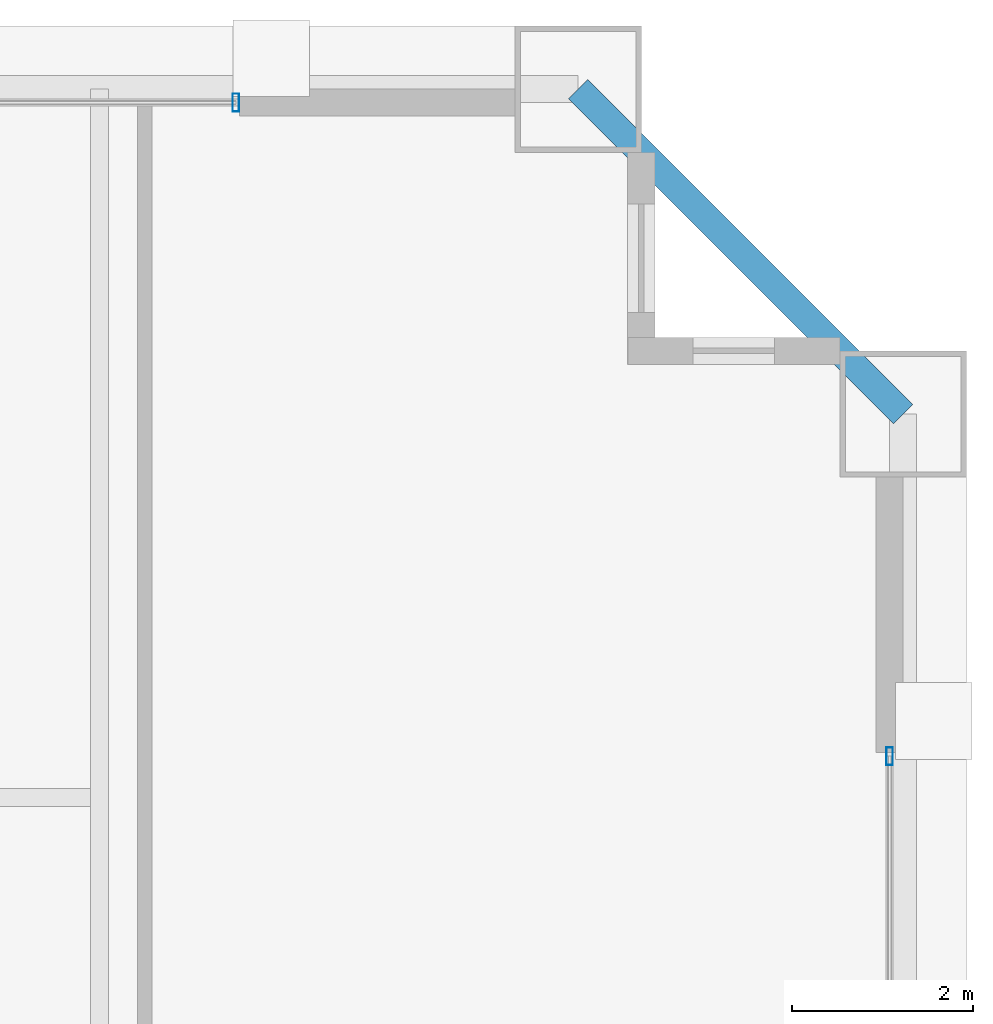
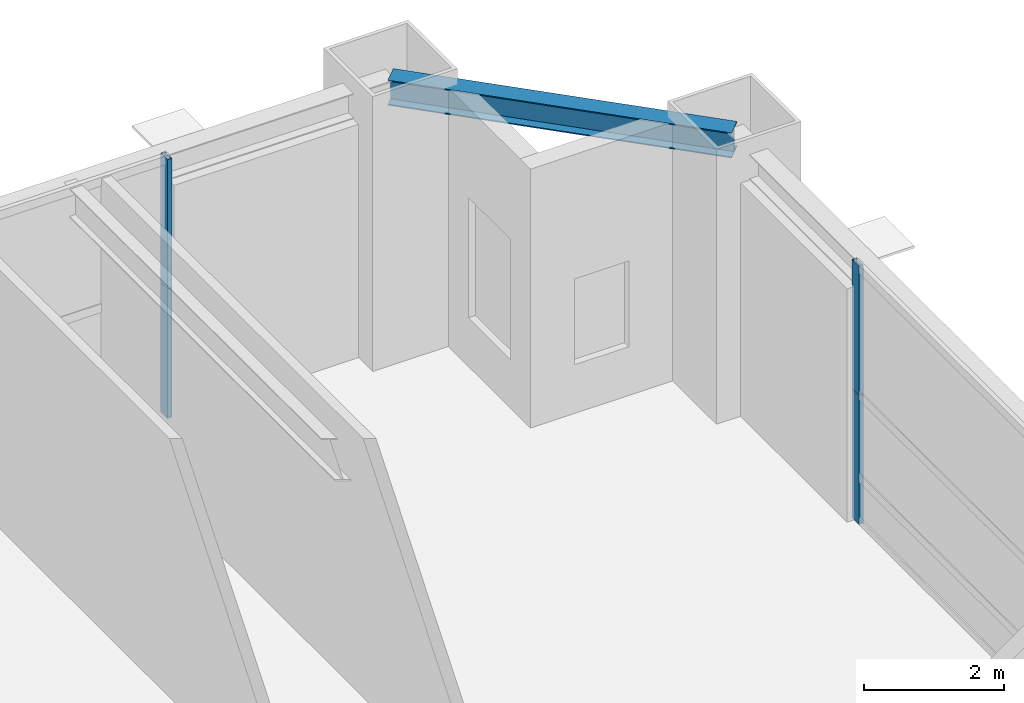
# One storey, part 29 of 34: 4 members, 1 beam, 2 elements without a shape of their own.
"""IFC4 building model written with IfcOpenShell, lengths in metres."""

from ifc_helpers import new_model, si_unit, direction, frame, origin, origin_2d, place, context, subcontext, project, spatial, hollow_rectangle, i_section, extrude, source, transform, mapped, material, layer, layer_set, material_profile, profile_set, type_object, element, aggregate, save


model = new_model("IFC4")

# Units and contexts
model_context = context("Model", 3, precision=1e-05, world=origin(), true_north=direction((0.0, 1.0)))
body_context = subcontext(model_context, "Body", "Model", "MODEL_VIEW")
ifc_project = project(units=[si_unit("LENGTHUNIT", "METRE"), si_unit("AREAUNIT", "SQUARE_METRE"), si_unit("VOLUMEUNIT", "CUBIC_METRE"), si_unit("PLANEANGLEUNIT", "RADIAN"), si_unit("MASSUNIT", "GRAM", prefix="KILO"), si_unit("THERMODYNAMICTEMPERATUREUNIT", "KELVIN"), si_unit("POWERUNIT", "WATT")], contexts=[model_context])

# Site, building, storey
site_placement = place(None, origin())
site = spatial("IfcSite", under=ifc_project, at=site_placement, CompositionType="ELEMENT")
building_placement = place(site_placement, origin())
building = spatial("IfcBuilding", under=site, at=building_placement, Name="Yuzanri Waterfront Tower", CompositionType="ELEMENT")
storey_placement = place(building_placement, frame((0.0, 0.0, 171.60009765625)))
storey = spatial("IfcBuildingStorey", under=building, at=storey_placement, Name="L45", CompositionType="ELEMENT", Elevation=171.60009765625)

# Beam
ifc_material_1 = material(Name="Steel Q355B", Category="steel")
ifc_material_profile_1 = material_profile(ifc_material_1, i_section(OverallWidth=0.300048828125, OverallDepth=0.43994140625, WebThickness=0.010986328125, FlangeThickness=0.01806640625, at=origin_2d()), Name="HM 440x300x11x18")
ifc_profile_set_1 = profile_set([ifc_material_profile_1], Name="Steel Q355B")
beam_type = type_object("IfcBeamType", Name="Perimeter Spandrel Q355B HM 440x300", PredefinedType="SPANDREL", material=ifc_profile_set_1)
shared_shape_1 = source(origin(), body_context, "Body", "SweptSolid", [
    extrude(i_section(OverallWidth=0.300048828125, OverallDepth=0.43994140625, WebThickness=0.010986328125, FlangeThickness=0.01806640625, at=origin_2d()), origin(), (0.0, 0.0, 1.0), 5.091064453125),
])
beam_placement = place(storey_placement, frame((59.10009765625, 44.300048828125, 4.2998046875), z_axis=(-0.707130757816, 0.707082803744, 0.0), x_axis=(-0.707082803744, -0.707130757816, 0.0)))
element("IfcBeam", 1, at=beam_placement, inside=storey, type_object=beam_type, Name="L45 Perimeter Spandrel E3-N3", PredefinedType="SPANDREL", context=body_context, shape_type="MappedRepresentation", body=[
    mapped(shared_shape_1, transform((0.0, 0.0, 0.0), scale=1.0)),
])

# Curtain wall, member
ifc_material_2 = material(Name="Anodized Architectural Bronze", Category="metal")
ifc_layer = layer(ifc_material_2, 0.159912109375)
ifc_layer_set = layer_set([ifc_layer], Name="Anodized Architectural Bronze")
curtain_wall_type = type_object("IfcCurtainWallType", Name="Anodized Bronze Sky-Lobby Triple-Glazed Feature Curtain Wall 7500", PredefinedType="NOTDEFINED", material=ifc_layer_set)
curtain_wall_1_placement = place(storey_placement, origin())
curtain_wall_1 = element("IfcCurtainWall", 2, at=curtain_wall_1_placement, inside=storey, type_object=curtain_wall_type, Name="L45 Curtain Wall CW-L45-NR", PredefinedType="NOTDEFINED")
ifc_material_3 = material(Name="Anodized Architectural Bronze", Category="metal")
ifc_material_profile_2 = material_profile(ifc_material_3, hollow_rectangle(XDim=0.074951171875, YDim=0.199951171875, WallThickness=0.00390625, at=origin_2d()), Name="CWM 75x200")
ifc_profile_set_2 = profile_set([ifc_material_profile_2], Name="Anodized Architectural Bronze")
member_type = type_object("IfcMemberType", Name="Anodized Bronze Primary Curtain-Wall Mullion 75x200", PredefinedType="MULLION", material=ifc_profile_set_2)
shared_shape_2 = source(origin(), body_context, "Body", "SweptSolid", [
    extrude(hollow_rectangle(XDim=0.074951171875, YDim=0.199951171875, WallThickness=0.00390625, at=origin_2d()), origin(), (0.0, 0.0, 1.0), 2.258056640625),
])
member_1_placement = place(storey_placement, frame((51.7099609375, 47.75, 2.261962890625), z_axis=(0.0, 0.0, 1.0), x_axis=(1.0, 0.0, 0.0)))
member_1 = element("IfcMember", 3, at=member_1_placement, type_object=member_type, Name="CW-L45-NR Upper Mullion 02", PredefinedType="MULLION", context=body_context, shape_type="MappedRepresentation", body=[
    mapped(shared_shape_2, transform((0.0, 0.0, 0.0), scale=1.0)),
])

curtain_wall_2_placement = place(storey_placement, origin())
curtain_wall_2 = element("IfcCurtainWall", 4, at=curtain_wall_2_placement, inside=storey, type_object=curtain_wall_type, Name="L45 Curtain Wall CW-L45-ER", PredefinedType="NOTDEFINED")
member_2_placement = place(storey_placement, frame((58.949951171875, 40.510009765625, 2.261962890625), z_axis=(0.0, 0.0, 1.0), x_axis=(1.0, 0.0, 0.0)))
member_2 = element("IfcMember", 5, at=member_2_placement, type_object=member_type, Name="CW-L45-ER Upper Mullion 02", PredefinedType="MULLION", context=body_context, shape_type="MappedRepresentation", body=[
    mapped(shared_shape_2, transform((0.0, 0.0, 0.0), scale=1.0)),
])

# Member
shared_shape_3 = source(origin(), body_context, "Body", "SweptSolid", [
    extrude(hollow_rectangle(XDim=0.074951171875, YDim=0.199951171875, WallThickness=0.00390625, at=origin_2d()), origin(), (0.0, 0.0, 1.0), 2.2578125),
])
member_3_placement = place(storey_placement, frame((51.7099609375, 47.75, 0.0), z_axis=(0.0, 0.0, 1.0), x_axis=(1.0, 0.0, 0.0)))
member_3 = element("IfcMember", 6, at=member_3_placement, type_object=member_type, Name="CW-L45-NR Lower Mullion 02", PredefinedType="MULLION", context=body_context, shape_type="MappedRepresentation", body=[
    mapped(shared_shape_3, transform((0.0, 0.0, 0.0), scale=1.0)),
])

aggregate(curtain_wall_1, [member_3, member_1])

member_4_placement = place(storey_placement, frame((58.949951171875, 40.510009765625, 0.0), z_axis=(0.0, 0.0, 1.0), x_axis=(1.0, 0.0, 0.0)))
member_4 = element("IfcMember", 7, at=member_4_placement, type_object=member_type, Name="CW-L45-ER Lower Mullion 02", PredefinedType="MULLION", context=body_context, shape_type="MappedRepresentation", body=[
    mapped(shared_shape_3, transform((0.0, 0.0, 0.0), scale=1.0)),
])

aggregate(curtain_wall_2, [member_4, member_2])

save(model, "model.ifc")
